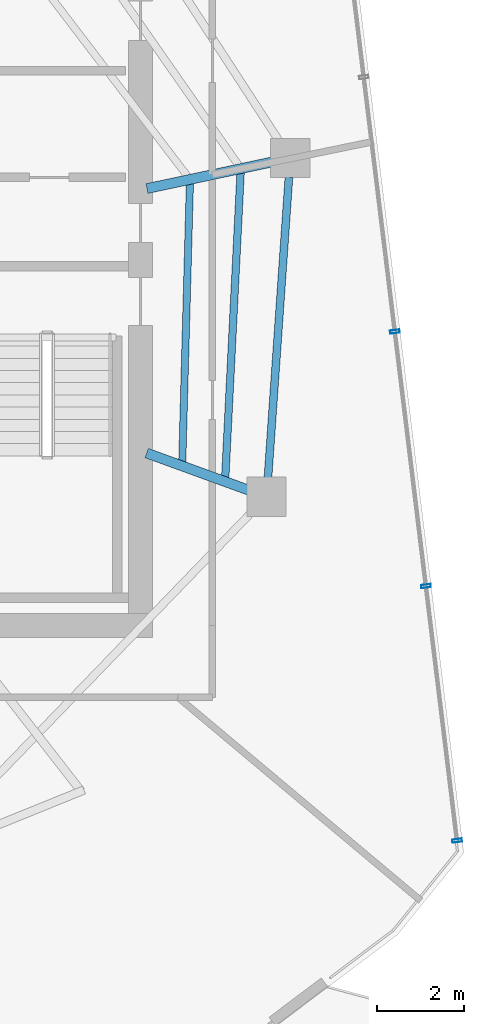
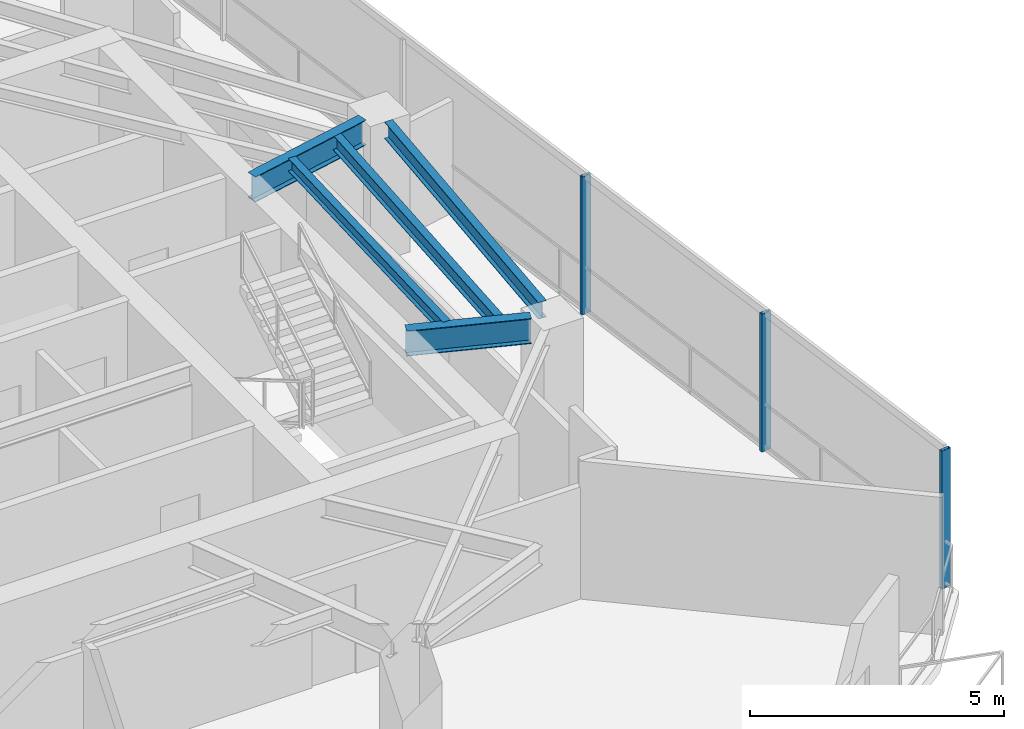
# One storey, part 7 of 18: 5 beams, 3 members, 1 element without a shape of its own.
"""IFC4 building model written with IfcOpenShell, lengths in metres."""

from ifc_helpers import new_model, si_unit, direction, frame, origin, origin_2d, place, context, subcontext, project, spatial, hollow_rectangle, i_section, extrude, material, layer, layer_set, material_profile, profile_set, type_object, element, aggregate, save


model = new_model("IFC4")

# Units and contexts
model_context = context("Model", 3, precision=1e-05, world=origin(), true_north=direction((0.0, 1.0)))
body_context = subcontext(model_context, "Body", "Model", "MODEL_VIEW")
ifc_project = project(units=[si_unit("LENGTHUNIT", "METRE"), si_unit("AREAUNIT", "SQUARE_METRE"), si_unit("VOLUMEUNIT", "CUBIC_METRE"), si_unit("PLANEANGLEUNIT", "RADIAN"), si_unit("MASSUNIT", "GRAM", prefix="KILO")], contexts=[model_context])

# Site, building, storey
site_placement = place(None, origin())
site = spatial("IfcSite", under=ifc_project, at=site_placement, CompositionType="ELEMENT")
building_placement = place(site_placement, origin())
building = spatial("IfcBuilding", under=site, at=building_placement, Name="Qarnah Convention Tower", CompositionType="ELEMENT")
storey_placement = place(building_placement, frame((0.0, 0.0, 205.800048828125)))
storey = spatial("IfcBuildingStorey", under=building, at=storey_placement, Name="L55", CompositionType="ELEMENT", Elevation=205.800048828125)

# Beams
ifc_material_1 = material(Name="Structural steel S355JR", Category="steel")
ifc_material_profile_1 = material_profile(ifc_material_1, i_section(OverallWidth=0.166015625, OverallDepth=0.31201171875, WebThickness=0.007080078125, FlangeThickness=0.010986328125, at=origin_2d()), Name="W310X45")
ifc_profile_set_1 = profile_set([ifc_material_profile_1], Name="Structural steel S355JR")
beam_type_1 = type_object("IfcBeamType", Name="BM-JST-W310", PredefinedType="JOIST", material=ifc_profile_set_1)
beam_1_placement = place(storey_placement, frame((48.55810546875, 22.35595703125, 3.1640625), z_axis=(0.027429745352, 0.999623733747, 0.0), x_axis=(-0.999623733747, 0.027429745352, 0.0)))
element("IfcBeam", 1, at=beam_1_placement, inside=storey, type_object=beam_type_1, Name="L55 joist BM-L55-IJST-09", PredefinedType="JOIST", context=body_context, shape_type="SweptSolid", body=[
    extrude(i_section(OverallWidth=0.166015625, OverallDepth=0.31201171875, WebThickness=0.007080078125, FlangeThickness=0.010986328125, at=origin_2d()), origin(), (0.0, 0.0, 1.0), 6.408447265625),
])
ifc_material_profile_2 = material_profile(ifc_material_1, i_section(OverallWidth=0.172119140625, OverallDepth=0.35595703125, WebThickness=0.007080078125, FlangeThickness=0.011962890625, at=origin_2d()), Name="W360X51")
ifc_profile_set_2 = profile_set([ifc_material_profile_2], Name="Structural steel S355JR")
beam_type_2 = type_object("IfcBeamType", Name="BM-JST-W360", PredefinedType="JOIST", material=ifc_profile_set_2)
beam_2_placement = place(storey_placement, frame((49.5458984375, 21.998046875, 3.141845703125), z_axis=(0.050414487477, 0.998728381219, 0.0), x_axis=(-0.998728381219, 0.050414487477, 0.0)))
element("IfcBeam", 2, at=beam_2_placement, inside=storey, type_object=beam_type_2, Name="L55 joist BM-L55-SJST-09", PredefinedType="JOIST", context=body_context, shape_type="SweptSolid", body=[
    extrude(i_section(OverallWidth=0.172119140625, OverallDepth=0.35595703125, WebThickness=0.007080078125, FlangeThickness=0.011962890625, at=origin_2d()), origin(), (0.0, 0.0, 1.0), 7.02197265625),
])
ifc_material_profile_3 = material_profile(ifc_material_1, i_section(OverallWidth=0.22802734375, OverallDepth=0.60791015625, WebThickness=0.010986328125, FlangeThickness=0.01708984375, at=origin_2d()), Name="W610X113")
ifc_profile_set_3 = profile_set([ifc_material_profile_3], Name="Structural steel S355JR")
beam_type_3 = type_object("IfcBeamType", Name="BM-RAD-W610B", PredefinedType="BEAM", material=ifc_profile_set_3)
beam_3_placement = place(storey_placement, frame((47.7470703125, 28.64208984375, 3.015869140625), z_axis=(0.978136876062, 0.207962140033, 0.0), x_axis=(-0.207962140033, 0.978136876062, 0.0)))
element("IfcBeam", 3, at=beam_3_placement, inside=storey, type_object=beam_type_3, Name="L55 beam BM-L55-RAD-01", PredefinedType="BEAM", context=body_context, shape_type="SweptSolid", body=[
    extrude(i_section(OverallWidth=0.22802734375, OverallDepth=0.60791015625, WebThickness=0.010986328125, FlangeThickness=0.01708984375, at=origin_2d()), origin(), (0.0, 0.0, 1.0), 2.937255859375),
])
beam_4_placement = place(storey_placement, frame((47.740966796875, 22.56298828125, 3.015869140625), z_axis=(0.939707956932, -0.341978004671, 0.0), x_axis=(0.341978004671, 0.939707956932, 0.0)))
element("IfcBeam", 4, at=beam_4_placement, inside=storey, type_object=beam_type_3, Name="L55 beam BM-L55-RAD-09", PredefinedType="BEAM", context=body_context, shape_type="SweptSolid", body=[
    extrude(i_section(OverallWidth=0.22802734375, OverallDepth=0.60791015625, WebThickness=0.010986328125, FlangeThickness=0.01708984375, at=origin_2d()), origin(), (0.0, 0.0, 1.0), 2.5029296875),
])
ifc_material_profile_4 = material_profile(ifc_material_1, i_section(OverallWidth=0.179931640625, OverallDepth=0.39990234375, WebThickness=0.009033203125, FlangeThickness=0.013916015625, at=origin_2d()), Name="IPE400")
ifc_profile_set_4 = profile_set([ifc_material_profile_4], Name="Structural steel S355JR")
beam_type_4 = type_object("IfcBeamType", Name="BM-SPN-IPE400", PredefinedType="SPANDREL", material=ifc_profile_set_4)
beam_5_placement = place(storey_placement, frame((50.528076171875, 21.9990234375, 3.119873046875), z_axis=(0.069635000818, 0.997572537042, 0.0), x_axis=(-0.997572537042, 0.069635000818, 0.0)))
element("IfcBeam", 5, at=beam_5_placement, inside=storey, type_object=beam_type_4, Name="L55 spandrel BM-L55-SPN-09", PredefinedType="SPANDREL", context=body_context, shape_type="SweptSolid", body=[
    extrude(i_section(OverallWidth=0.179931640625, OverallDepth=0.39990234375, WebThickness=0.009033203125, FlangeThickness=0.013916015625, at=origin_2d()), origin(), (0.0, 0.0, 1.0), 6.9208984375),
])

# Curtain wall, members
ifc_material_2 = material(Name="Tempered Low-E dark glass", Category="glass")
ifc_layer = layer(ifc_material_2, 0.174072265625)
ifc_layer_set = layer_set([ifc_layer], Name="Tempered Low-E dark glass")
curtain_wall_type = type_object("IfcCurtainWallType", Name="CWS-04", PredefinedType="NOTDEFINED", material=ifc_layer_set)
curtain_wall_placement = place(storey_placement, origin())
curtain_wall = element("IfcCurtainWall", 6, at=curtain_wall_placement, inside=storey, type_object=curtain_wall_type, Name="L55 unitised curtain wall CW-L55-F3", PredefinedType="NOTDEFINED")
ifc_material_3 = material(Name="Black anodised aluminium", Category="aluminium")
ifc_material_profile_5 = material_profile(ifc_material_3, hollow_rectangle(XDim=0.074951171875, YDim=0.219970703125, WallThickness=0.0048828125, at=origin_2d()), Name="MUL-75X220")
ifc_profile_set_5 = profile_set([ifc_material_profile_5], Name="Black anodised aluminium")
member_type = type_object("IfcMemberType", Name="MUL-T4", PredefinedType="MULLION", material=ifc_profile_set_5)
member_1_placement = place(storey_placement, frame((53.4453125, 25.35498046875, 0.0), z_axis=(0.0, 0.0, 1.0), x_axis=(0.121219125701, -0.992625772164, 0.0)))
member_1 = element("IfcMember", 7, at=member_1_placement, type_object=member_type, Name="CW-L55-F3 mullion 4", PredefinedType="MULLION", context=body_context, shape_type="SweptSolid", body=[
    extrude(hollow_rectangle(XDim=0.074951171875, YDim=0.219970703125, WallThickness=0.0048828125, at=origin_2d()), origin(), (0.0, 0.0, 1.0), 3.320068359375),
])
member_2_placement = place(storey_placement, frame((54.15966796875, 19.5048828125, 0.0), z_axis=(0.0, 0.0, 1.0), x_axis=(0.121219125701, -0.992625772164, 0.0)))
member_2 = element("IfcMember", 8, at=member_2_placement, type_object=member_type, Name="CW-L55-F3 mullion 5", PredefinedType="MULLION", context=body_context, shape_type="SweptSolid", body=[
    extrude(hollow_rectangle(XDim=0.074951171875, YDim=0.219970703125, WallThickness=0.0048828125, at=origin_2d()), origin(), (0.0, 0.0, 1.0), 3.320068359375),
])
member_3_placement = place(storey_placement, frame((54.8740234375, 13.655029296875, 0.0), z_axis=(0.0, 0.0, 1.0), x_axis=(0.121219125701, -0.992625772164, 0.0)))
member_3 = element("IfcMember", 9, at=member_3_placement, type_object=member_type, Name="CW-L55-F3 mullion 6", PredefinedType="MULLION", context=body_context, shape_type="SweptSolid", body=[
    extrude(hollow_rectangle(XDim=0.074951171875, YDim=0.219970703125, WallThickness=0.0048828125, at=origin_2d()), origin(), (0.0, 0.0, 1.0), 3.320068359375),
])
aggregate(curtain_wall, [member_1, member_2, member_3])

save(model, "model.ifc")
